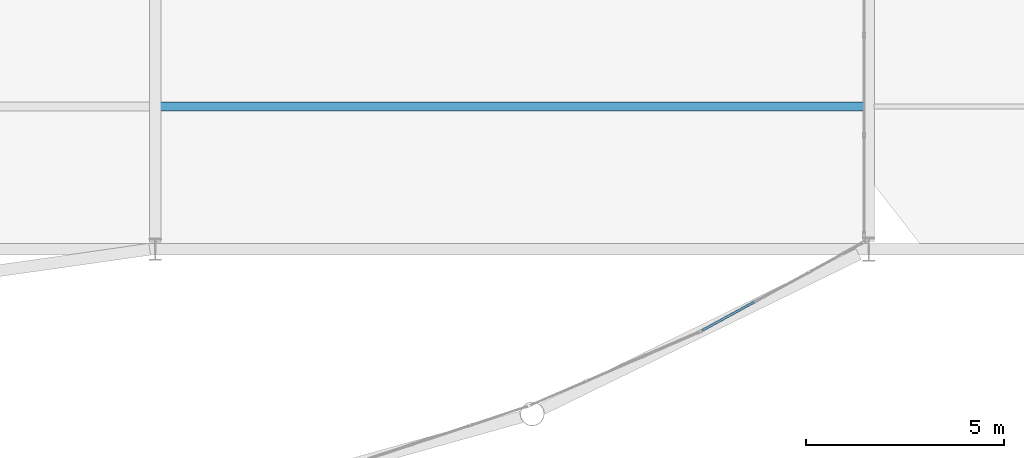
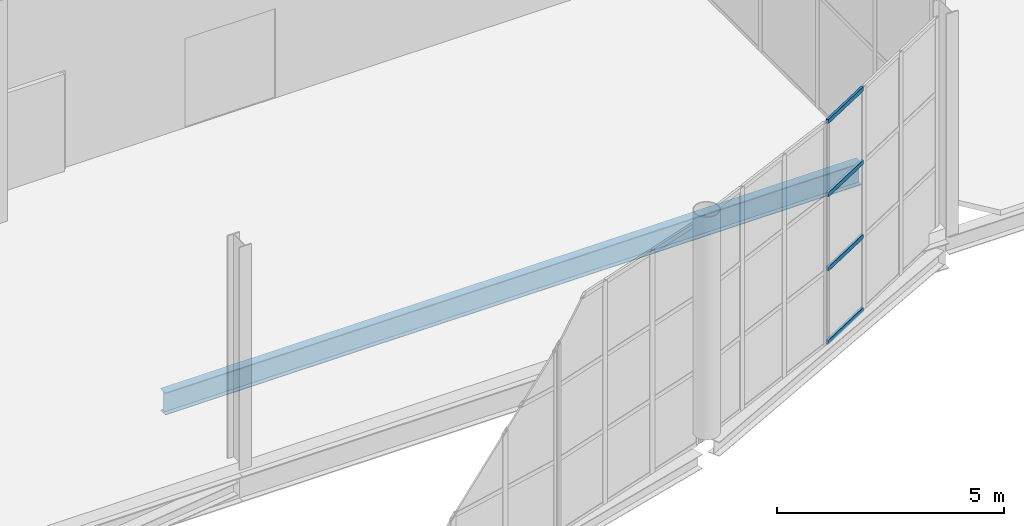
# One storey, part 49 of 191: 4 members, 1 beam, 1 element without a shape of its own.
"""IFC4 building model written with IfcOpenShell, lengths in metres."""

from ifc_helpers import new_model, si_unit, direction, frame, origin, origin_2d, place, context, subcontext, project, spatial, hollow_rectangle, i_section, extrude, material, layer, layer_set, material_profile, profile_set, type_object, element, aggregate, save


model = new_model("IFC4")

# Units and contexts
model_context = context("Model", 3, precision=1e-05, world=origin(), true_north=direction((0.0, 1.0)))
body_context = subcontext(model_context, "Body", "Model", "MODEL_VIEW")
ifc_project = project(units=[si_unit("LENGTHUNIT", "METRE"), si_unit("AREAUNIT", "SQUARE_METRE"), si_unit("VOLUMEUNIT", "CUBIC_METRE"), si_unit("PLANEANGLEUNIT", "RADIAN"), si_unit("MASSUNIT", "GRAM", prefix="KILO")], contexts=[model_context])

# Site, building, storey
site_placement = place(None, origin())
site = spatial("IfcSite", under=ifc_project, at=site_placement, CompositionType="ELEMENT")
building_placement = place(site_placement, origin())
building = spatial("IfcBuilding", under=site, at=building_placement, Name="Tamarisk Ironworks Central Station", CompositionType="ELEMENT")
storey_placement = place(building_placement, frame((0.0, 0.0, 6.60009765625)))
storey = spatial("IfcBuildingStorey", under=building, at=storey_placement, Name="L01", CompositionType="ELEMENT", Elevation=6.60009765625)

# Beam
ifc_material_1 = material(Name="Structural steel S355J2", Category="steel")
ifc_material_profile_1 = material_profile(ifc_material_1, i_section(OverallWidth=0.219970703125, OverallDepth=0.60009765625, WebThickness=0.011962890625, FlangeThickness=0.01904296875, at=origin_2d()), Name="IPE 600")
ifc_profile_set_1 = profile_set([ifc_material_profile_1], Name="Structural steel S355J2")
beam_type = type_object("IfcBeamType", Name="BM-B01", PredefinedType="BEAM", material=ifc_profile_set_1)
beam_placement = place(storey_placement, frame((90.135009765625, 14.39990234375, -0.60009765625), z_axis=(1.0, 0.0, 0.0), x_axis=(0.0, 1.0, 0.0)))
element("IfcBeam", 1, at=beam_placement, inside=storey, type_object=beam_type, Name="L01 secondary composite beam 0031", PredefinedType="BEAM", context=body_context, shape_type="SweptSolid", body=[
    extrude(i_section(OverallWidth=0.219970703125, OverallDepth=0.60009765625, WebThickness=0.011962890625, FlangeThickness=0.01904296875, at=origin_2d()), origin(), (0.0, 0.0, 1.0), 17.72998046875),
])

# Curtain wall, members
ifc_material_2 = material(Name="Anodized aluminium alloy 6063-T6", Category="aluminium")
ifc_layer = layer(ifc_material_2, 0.179931640625)
ifc_layer_set = layer_set([ifc_layer], Name="Anodized aluminium alloy 6063-T6")
curtain_wall_type = type_object("IfcCurtainWallType", Name="CW-02", PredefinedType="USERDEFINED", material=ifc_layer_set)
curtain_wall_placement = place(storey_placement, origin())
curtain_wall = element("IfcCurtainWall", 2, at=curtain_wall_placement, inside=storey, type_object=curtain_wall_type, Name="SN rounded entrance hall L01 curtain wall bay 12", ObjectType="GLAZED CURTAIN WALL", PredefinedType="USERDEFINED")
ifc_material_profile_2 = material_profile(ifc_material_2, hollow_rectangle(XDim=0.06005859375, YDim=0.114990234375, WallThickness=0.00341796875, at=origin_2d()), Name="ALUM 115x60")
ifc_profile_set_2 = profile_set([ifc_material_profile_2], Name="Anodized aluminium alloy 6063-T6")
member_type = type_object("IfcMemberType", Name="CWT-03", PredefinedType="USERDEFINED", material=ifc_profile_set_2)
member_1_placement = place(storey_placement, frame((103.80126953125, 8.754150390625, -0.35498046875), z_axis=(0.877311774567, 0.479920879111, 0.0), x_axis=(-0.479920879111, 0.877311774567, 0.0)))
member_1 = element("IfcMember", 3, at=member_1_placement, type_object=member_type, Name="CW02 transom 1.1", ObjectType="TRANSOM", PredefinedType="USERDEFINED", context=body_context, shape_type="SweptSolid", body=[
    extrude(hollow_rectangle(XDim=0.06005859375, YDim=0.114990234375, WallThickness=0.00341796875, at=origin_2d()), origin(), (0.0, 0.0, 1.0), 1.488037109375),
])
member_2_placement = place(storey_placement, frame((103.80126953125, 8.754150390625, 1.61669921875), z_axis=(0.877311774567, 0.479920879111, 0.0), x_axis=(-0.479920879111, 0.877311774567, 0.0)))
member_2 = element("IfcMember", 4, at=member_2_placement, type_object=member_type, Name="CW02 transom 1.2", ObjectType="TRANSOM", PredefinedType="USERDEFINED", context=body_context, shape_type="SweptSolid", body=[
    extrude(hollow_rectangle(XDim=0.06005859375, YDim=0.114990234375, WallThickness=0.00341796875, at=origin_2d()), origin(), (0.0, 0.0, 1.0), 1.488037109375),
])
member_3_placement = place(storey_placement, frame((103.80126953125, 8.754150390625, 3.6181640625), z_axis=(0.877311774567, 0.479920879111, 0.0), x_axis=(-0.479920879111, 0.877311774567, 0.0)))
member_3 = element("IfcMember", 5, at=member_3_placement, type_object=member_type, Name="CW02 transom 1.3", ObjectType="TRANSOM", PredefinedType="USERDEFINED", context=body_context, shape_type="SweptSolid", body=[
    extrude(hollow_rectangle(XDim=0.06005859375, YDim=0.114990234375, WallThickness=0.00341796875, at=origin_2d()), origin(), (0.0, 0.0, 1.0), 1.488037109375),
])
member_4_placement = place(storey_placement, frame((103.80126953125, 8.754150390625, 5.58984375), z_axis=(0.877311774567, 0.479920879111, 0.0), x_axis=(-0.479920879111, 0.877311774567, 0.0)))
member_4 = element("IfcMember", 6, at=member_4_placement, type_object=member_type, Name="CW02 transom 1.4", ObjectType="TRANSOM", PredefinedType="USERDEFINED", context=body_context, shape_type="SweptSolid", body=[
    extrude(hollow_rectangle(XDim=0.06005859375, YDim=0.114990234375, WallThickness=0.00341796875, at=origin_2d()), origin(), (0.0, 0.0, 1.0), 1.488037109375),
])
aggregate(curtain_wall, [member_1, member_2, member_3, member_4])

save(model, "model.ifc")
